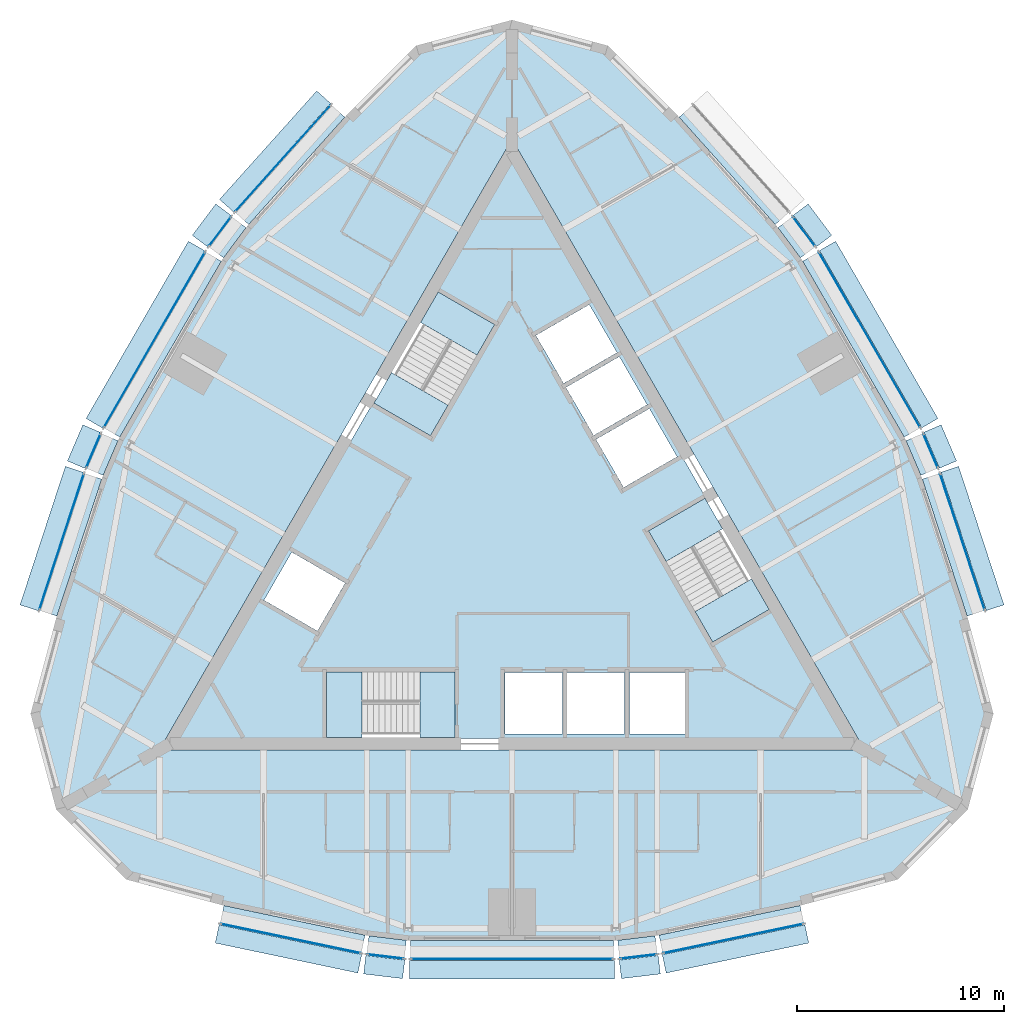
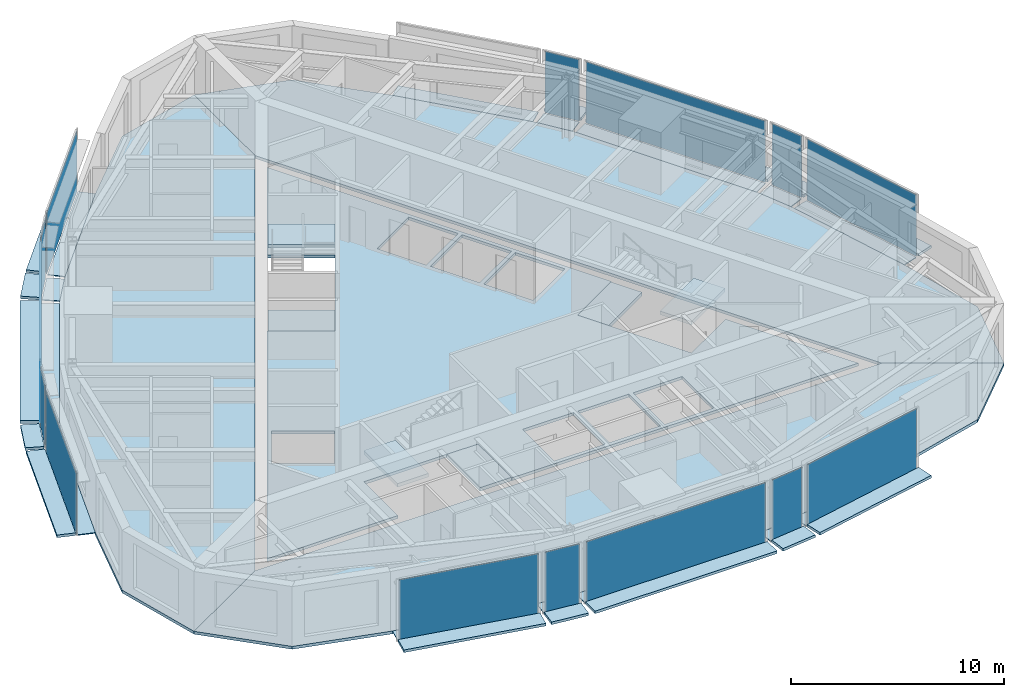
# One storey, part 6 of 12: 43 plates, 10 slabs, 17 elements without a shape of their own.
"""IFC4 building model written with IfcOpenShell, lengths in metres."""

from ifc_helpers import new_model, si_unit, direction, frame, origin, origin_2d, place, context, subcontext, project, spatial, polyline, rectangle, outline, extrude, material, layer, layer_set, type_object, element, aggregate, save


model = new_model("IFC4")

# Units and contexts
model_context = context("Model", 3, precision=1e-05, world=origin(), true_north=direction((0.0, 1.0)))
body_context = subcontext(model_context, "Body", "Model", "MODEL_VIEW")
ifc_project = project(units=[si_unit("LENGTHUNIT", "METRE"), si_unit("AREAUNIT", "SQUARE_METRE"), si_unit("VOLUMEUNIT", "CUBIC_METRE"), si_unit("PLANEANGLEUNIT", "RADIAN"), si_unit("MASSUNIT", "GRAM", prefix="KILO")], contexts=[model_context])

# Site, building, storey
site_placement = place(None, origin())
site = spatial("IfcSite", under=ifc_project, at=site_placement, CompositionType="ELEMENT")
building_placement = place(site_placement, origin())
building = spatial("IfcBuilding", under=site, at=building_placement, Name="Trikona Tower", CompositionType="ELEMENT")
storey_placement = place(building_placement, frame((0.0, 0.0, 268.10009765625)))
storey = spatial("IfcBuildingStorey", under=building, at=storey_placement, Name="L71", CompositionType="ELEMENT", Elevation=268.10009765625)

# Plates
ifc_material_1 = material(Name="Aluminium bar grating", Category="aluminium")
ifc_layer_1 = layer(ifc_material_1, 0.050048828125)
ifc_layer_set_1 = layer_set([ifc_layer_1], Name="Cavity catwalk grating")
plate_type_1 = type_object("IfcPlateType", Name="Cavity catwalk grating", PredefinedType="USERDEFINED", material=ifc_layer_set_1)
plate_1_placement = place(storey_placement, frame((-10.586181640625, -18.466552734375, -0.05029296875), z_axis=(0.0, 0.0, 1.0), x_axis=(0.97865342171, -0.205517590916, 0.0)))
element("IfcPlate", 1, at=plate_1_placement, inside=storey, type_object=plate_type_1, Name="Cavity catwalk L71-00", ObjectType="CATWALK GRATING", PredefinedType="USERDEFINED", context=body_context, shape_type="SweptSolid", body=[
    extrude(rectangle(XDim=6.95263671875, YDim=0.840087890625, at=origin_2d()), origin(), (0.0, 0.0, 1.0), 0.050048828125),
])
plate_2_placement = place(storey_placement, frame((-6.050048828125, -19.327392578125, -0.05029296875), z_axis=(0.0, 0.0, 1.0), x_axis=(0.992876783199, -0.11914568135, 0.0)))
element("IfcPlate", 2, at=plate_2_placement, inside=storey, type_object=plate_type_1, Name="Cavity catwalk L71-01", ObjectType="CATWALK GRATING", PredefinedType="USERDEFINED", context=body_context, shape_type="SweptSolid", body=[
    extrude(rectangle(XDim=1.814208984375, YDim=0.840087890625, at=origin_2d()), origin(), (0.0, 0.0, 1.0), 0.050048828125),
])
plate_3_placement = place(storey_placement, frame((0.0, -19.450439453125, -0.05029296875), z_axis=(0.0, 0.0, 1.0), x_axis=(1.0, 0.0, 0.0)))
element("IfcPlate", 3, at=plate_3_placement, inside=storey, type_object=plate_type_1, Name="Cavity catwalk L71-02", ObjectType="CATWALK GRATING", PredefinedType="USERDEFINED", context=body_context, shape_type="SweptSolid", body=[
    extrude(rectangle(XDim=9.800048828125, YDim=0.840087890625, at=origin_2d()), origin(), (0.0, 0.0, 1.0), 0.050048828125),
])
plate_4_placement = place(storey_placement, frame((6.050048828125, -19.327392578125, -0.05029296875), z_axis=(0.0, 0.0, 1.0), x_axis=(0.992876783199, 0.11914568135, 0.0)))
element("IfcPlate", 4, at=plate_4_placement, inside=storey, type_object=plate_type_1, Name="Cavity catwalk L71-03", ObjectType="CATWALK GRATING", PredefinedType="USERDEFINED", context=body_context, shape_type="SweptSolid", body=[
    extrude(rectangle(XDim=1.814208984375, YDim=0.840087890625, at=origin_2d()), origin(), (0.0, 0.0, 1.0), 0.050048828125),
])
for number, where, z_axis, x_axis, name in (
    (5, (10.586181640625, -18.466552734375, -0.05029296875), (0.0, 0.0, 1.0), (0.97865342171, 0.205517590916, 0.0), "Cavity catwalk L71-04"),
    (6, (21.28564453125, 0.065185546875, -0.05029296875), (0.0, 0.0, 1.0), (-0.311336621861, 0.950299693722, 0.0), "Cavity catwalk L71-09"),
):
    element("IfcPlate", number, at=place(storey_placement, frame(where, z_axis=z_axis, x_axis=x_axis)), inside=storey, type_object=plate_type_1, Name=name, ObjectType="CATWALK GRATING", PredefinedType="USERDEFINED", context=body_context, shape_type="SweptSolid", body=[
        extrude(rectangle(XDim=6.95263671875, YDim=0.840087890625, at=origin_2d()), origin(), (0.0, 0.0, 1.0), 0.050048828125),
    ])
plate_5_placement = place(storey_placement, frame((19.76318359375, 4.42431640625, -0.05029296875), z_axis=(0.0, 0.0, 1.0), x_axis=(-0.39328408933, 0.919417002823, 0.0)))
element("IfcPlate", 7, at=plate_5_placement, inside=storey, type_object=plate_type_1, Name="Cavity catwalk L71-10", ObjectType="CATWALK GRATING", PredefinedType="USERDEFINED", context=body_context, shape_type="SweptSolid", body=[
    extrude(rectangle(XDim=1.814208984375, YDim=0.840087890625, at=origin_2d()), origin(), (0.0, 0.0, 1.0), 0.050048828125),
])
plate_6_placement = place(storey_placement, frame((16.844482421875, 9.72509765625, -0.05029296875), z_axis=(0.0, 0.0, 1.0), x_axis=(-0.4999984885, 0.866026276448, 0.0)))
element("IfcPlate", 8, at=plate_6_placement, inside=storey, type_object=plate_type_1, Name="Cavity catwalk L71-11", ObjectType="CATWALK GRATING", PredefinedType="USERDEFINED", context=body_context, shape_type="SweptSolid", body=[
    extrude(rectangle(XDim=9.800048828125, YDim=0.840087890625, at=origin_2d()), origin(), (0.0, 0.0, 1.0), 0.050048828125),
])
plate_7_placement = place(storey_placement, frame((13.713134765625, 14.9033203125, -0.05029296875), z_axis=(0.0, 0.0, 1.0), x_axis=(-0.599618784879, 0.800285769472, 0.0)))
element("IfcPlate", 9, at=plate_7_placement, inside=storey, type_object=plate_type_1, Name="Cavity catwalk L71-12", ObjectType="CATWALK GRATING", PredefinedType="USERDEFINED", context=body_context, shape_type="SweptSolid", body=[
    extrude(rectangle(XDim=1.814208984375, YDim=0.840087890625, at=origin_2d()), origin(), (0.0, 0.0, 1.0), 0.050048828125),
])
for number, where, z_axis, x_axis, name in (
    (10, (10.699462890625, 18.4013671875, -0.05029296875), (0.0, 0.0, 1.0), (-0.667311465398, 0.744778764566, 0.0), "Cavity catwalk L71-13"),
    (11, (-10.699462890625, 18.4013671875, -0.05029296875), (0.0, 0.0, 1.0), (-0.667311465398, -0.744778764566, 0.0), "Cavity catwalk L71-18"),
):
    element("IfcPlate", number, at=place(storey_placement, frame(where, z_axis=z_axis, x_axis=x_axis)), inside=storey, type_object=plate_type_1, Name=name, ObjectType="CATWALK GRATING", PredefinedType="USERDEFINED", context=body_context, shape_type="SweptSolid", body=[
        extrude(rectangle(XDim=6.95263671875, YDim=0.840087890625, at=origin_2d()), origin(), (0.0, 0.0, 1.0), 0.050048828125),
    ])
plate_8_placement = place(storey_placement, frame((-13.713134765625, 14.9033203125, -0.05029296875), z_axis=(0.0, 0.0, 1.0), x_axis=(-0.599618784879, -0.800285769472, 0.0)))
element("IfcPlate", 12, at=plate_8_placement, inside=storey, type_object=plate_type_1, Name="Cavity catwalk L71-19", ObjectType="CATWALK GRATING", PredefinedType="USERDEFINED", context=body_context, shape_type="SweptSolid", body=[
    extrude(rectangle(XDim=1.814208984375, YDim=0.840087890625, at=origin_2d()), origin(), (0.0, 0.0, 1.0), 0.050048828125),
])
plate_9_placement = place(storey_placement, frame((-16.844482421875, 9.72509765625, -0.05029296875), z_axis=(0.0, 0.0, 1.0), x_axis=(-0.4999984885, -0.866026276448, 0.0)))
element("IfcPlate", 13, at=plate_9_placement, inside=storey, type_object=plate_type_1, Name="Cavity catwalk L71-20", ObjectType="CATWALK GRATING", PredefinedType="USERDEFINED", context=body_context, shape_type="SweptSolid", body=[
    extrude(rectangle(XDim=9.800048828125, YDim=0.840087890625, at=origin_2d()), origin(), (0.0, 0.0, 1.0), 0.050048828125),
])
plate_10_placement = place(storey_placement, frame((-19.76318359375, 4.42431640625, -0.05029296875), z_axis=(0.0, 0.0, 1.0), x_axis=(-0.39328408933, -0.919417002823, 0.0)))
element("IfcPlate", 14, at=plate_10_placement, inside=storey, type_object=plate_type_1, Name="Cavity catwalk L71-21", ObjectType="CATWALK GRATING", PredefinedType="USERDEFINED", context=body_context, shape_type="SweptSolid", body=[
    extrude(rectangle(XDim=1.814208984375, YDim=0.840087890625, at=origin_2d()), origin(), (0.0, 0.0, 1.0), 0.050048828125),
])
plate_11_placement = place(storey_placement, frame((-21.28564453125, 0.065185546875, -0.05029296875), z_axis=(0.0, 0.0, 1.0), x_axis=(-0.311336621861, -0.950299693722, 0.0)))
element("IfcPlate", 15, at=plate_11_placement, inside=storey, type_object=plate_type_1, Name="Cavity catwalk L71-22", ObjectType="CATWALK GRATING", PredefinedType="USERDEFINED", context=body_context, shape_type="SweptSolid", body=[
    extrude(rectangle(XDim=6.95263671875, YDim=0.840087890625, at=origin_2d()), origin(), (0.0, 0.0, 1.0), 0.050048828125),
])

# Slabs
ifc_material_2 = material(Name="Concrete f'c 5000 psi lightweight on composite steel deck", Category="concrete")
ifc_layer_2 = layer(ifc_material_2, 0.1650390625)
ifc_layer_set_2 = layer_set([ifc_layer_2], Name="Composite floor slab 165")
slab_type_1 = type_object("IfcSlabType", Name="Composite floor slab 165", PredefinedType="FLOOR", material=ifc_layer_set_2)
slab_1_placement = place(storey_placement, frame((0.0, 0.0, -0.1650390625)))
element("IfcSlab", 16, at=slab_1_placement, inside=storey, type_object=slab_type_1, Name="Floor slab L71 core", PredefinedType="FLOOR", context=body_context, shape_type="SweptSolid", body=[
    extrude(outline(polyline([(-16.06689453125, -9.2763671875), (-8.949951171875, -9.2763671875), (-8.949951171875, -6.076416015625), (-2.75, -6.076416015625), (-2.75, -9.2763671875), (16.06689453125, -9.2763671875), (12.45849609375, -3.026123046875), (9.687255859375, -4.626220703125), (6.587158203125, 0.7431640625), (9.3583984375, 2.34326171875), (0.0, 18.552490234375), (-3.6083984375, 12.302490234375), (-0.837158203125, 10.702392578125), (-3.937255859375, 5.3330078125), (-6.70849609375, 6.93310546875), (-16.06689453125, -9.2763671875)]), holes=[polyline([(5.659912109375, -6.086181640625), (5.659912109375, -9.06640625), (8.340087890625, -9.06640625), (8.340087890625, -6.086181640625), (5.659912109375, -6.086181640625)]), polyline([(6.631591796875, 6.646240234375), (4.05078125, 5.15625), (5.390869140625, 2.835205078125), (7.9716796875, 4.3251953125), (6.631591796875, 6.646240234375)]), polyline([(6.521484375, 6.8369140625), (5.181640625, 9.15771484375), (2.600830078125, 7.667724609375), (3.94091796875, 5.3466796875), (6.521484375, 6.8369140625)]), polyline([(2.659912109375, -9.06640625), (5.43994140625, -9.06640625), (5.43994140625, -6.086181640625), (2.659912109375, -6.086181640625), (2.659912109375, -9.06640625)]), polyline([(2.490966796875, 7.858154296875), (5.071533203125, 9.34814453125), (3.731689453125, 11.669189453125), (1.15087890625, 10.17919921875), (2.490966796875, 7.858154296875)]), polyline([(2.43994140625, -9.06640625), (2.43994140625, -6.086181640625), (-0.340087890625, -6.086181640625), (-0.340087890625, -9.06640625), (2.43994140625, -9.06640625)]), polyline([(-11.9716796875, -2.602783203125), (-9.390869140625, -4.093017578125), (-8.05078125, -1.77197265625), (-10.631591796875, -0.281982421875), (-11.9716796875, -2.602783203125)])]), origin(), (0.0, 0.0, 1.0), 0.1650390625),
])
slab_2_placement = place(storey_placement, frame((0.0, 0.0, -0.1650390625)))
element("IfcSlab", 17, at=slab_2_placement, inside=storey, type_object=slab_type_1, Name="Floor slab L71 south", PredefinedType="FLOOR", context=body_context, shape_type="SweptSolid", body=[
    extrude(outline(polyline([(18.618896484375, -16.0830078125), (22.0, -12.70166015625), (17.01953125, -9.826416015625), (-17.01953125, -9.826416015625), (-22.0, -12.70166015625), (-18.618896484375, -16.0830078125), (-14.0, -17.320556640625), (-7.0, -18.79052734375), (-5.0, -19.030517578125), (5.0, -19.030517578125), (7.0, -18.79052734375), (14.0, -17.320556640625), (18.618896484375, -16.0830078125)])), origin(), (0.0, 0.0, 1.0), 0.1650390625),
])
slab_3_placement = place(storey_placement, frame((0.0, 0.0, -0.1650390625)))
element("IfcSlab", 18, at=slab_3_placement, inside=storey, type_object=slab_type_1, Name="Floor slab L71 north-east", PredefinedType="FLOOR", context=body_context, shape_type="SweptSolid", body=[
    extrude(outline(polyline([(4.618896484375, 24.165771484375), (0.0, 25.4033203125), (0.0, 19.652587890625), (17.01953125, -9.826416015625), (22.0, -12.70166015625), (23.237548828125, -8.0830078125), (22.0, -3.464111328125), (19.773193359375, 3.3330078125), (18.98095703125, 5.18505859375), (13.98095703125, 13.845458984375), (12.773193359375, 15.45751953125), (8.0, 20.78466796875), (4.618896484375, 24.165771484375)])), origin(), (0.0, 0.0, 1.0), 0.1650390625),
])
slab_4_placement = place(storey_placement, frame((0.0, 0.0, -0.1650390625)))
element("IfcSlab", 19, at=slab_4_placement, inside=storey, type_object=slab_type_1, Name="Floor slab L71 north-west", PredefinedType="FLOOR", context=body_context, shape_type="SweptSolid", body=[
    extrude(outline(polyline([(0.0, 19.652587890625), (0.0, 25.4033203125), (-4.618896484375, 24.165771484375), (-8.0, 20.78466796875), (-12.773193359375, 15.45751953125), (-13.98095703125, 13.845458984375), (-18.98095703125, 5.18505859375), (-19.773193359375, 3.3330078125), (-22.0, -3.464111328125), (-23.237548828125, -8.0830078125), (-22.0, -12.70166015625), (-17.01953125, -9.826416015625), (0.0, 19.652587890625)])), origin(), (0.0, 0.0, 1.0), 0.1650390625),
])

# Curtain wall, plate
ifc_material_3 = material(Name="Aluminium curtain wall system", Category="aluminium")
curtain_wall_type = type_object("IfcCurtainWallType", Name="Curtain wall DS3", PredefinedType="NOTDEFINED", material=ifc_material_3)
curtain_wall_1_placement = place(storey_placement, origin())
curtain_wall_1 = element("IfcCurtainWall", 20, at=curtain_wall_1_placement, inside=storey, type_object=curtain_wall_type, Name="Curtain wall DS3 L71", PredefinedType="NOTDEFINED")
ifc_material_4 = material(Name="Laminated clear glass", Category="glass")
ifc_layer_3 = layer(ifc_material_4, 0.028076171875)
ifc_layer_set_3 = layer_set([ifc_layer_3], Name="Glass panel DS3")
plate_type_2 = type_object("IfcPlateType", Name="Glass panel DS3", PredefinedType="CURTAIN_PANEL", material=ifc_layer_set_3)
plate_12_placement = place(storey_placement, frame((-10.68505859375, -18.936279296875, 0.0), z_axis=(0.0, 0.0, 1.0), x_axis=(0.978651351583, -0.205527448396, 0.0)))
plate_12 = element("IfcPlate", 21, at=plate_12_placement, type_object=plate_type_2, Name="CW-DS3 panel 1.1", PredefinedType="CURTAIN_PANEL", context=body_context, shape_type="SweptSolid", body=[
    extrude(rectangle(XDim=6.892578125, YDim=0.028076171875, at=origin_2d()), origin(), (0.0, 0.0, 1.0), 3.530029296875),
])
aggregate(curtain_wall_1, [plate_12])

curtain_wall_2_placement = place(storey_placement, origin())
curtain_wall_2 = element("IfcCurtainWall", 22, at=curtain_wall_2_placement, inside=storey, type_object=curtain_wall_type, Name="Curtain wall DS3 L71", PredefinedType="NOTDEFINED")
plate_13_placement = place(storey_placement, frame((-6.107177734375, -19.803955078125, 0.0), z_axis=(0.0, 0.0, 1.0), x_axis=(0.992877338043, -0.119141057581, 0.0)))
plate_13 = element("IfcPlate", 23, at=plate_13_placement, type_object=plate_type_2, Name="CW-DS3 panel 1.1", PredefinedType="CURTAIN_PANEL", context=body_context, shape_type="SweptSolid", body=[
    extrude(rectangle(XDim=1.75439453125, YDim=0.028076171875, at=origin_2d()), origin(), (0.0, 0.0, 1.0), 3.530029296875),
])
aggregate(curtain_wall_2, [plate_13])

curtain_wall_3_placement = place(storey_placement, origin())
curtain_wall_3 = element("IfcCurtainWall", 24, at=curtain_wall_3_placement, inside=storey, type_object=curtain_wall_type, Name="Curtain wall DS3 L71", PredefinedType="NOTDEFINED")
plate_14_placement = place(storey_placement, frame((0.0, -19.930419921875, 0.0), z_axis=(0.0, 0.0, 1.0), x_axis=(1.0, 0.0, 0.0)))
plate_14 = element("IfcPlate", 25, at=plate_14_placement, type_object=plate_type_2, Name="CW-DS3 panel 1.1", PredefinedType="CURTAIN_PANEL", context=body_context, shape_type="SweptSolid", body=[
    extrude(rectangle(XDim=9.739990234375, YDim=0.028076171875, at=origin_2d()), origin(), (0.0, 0.0, 1.0), 3.530029296875),
])
aggregate(curtain_wall_3, [plate_14])

curtain_wall_4_placement = place(storey_placement, origin())
curtain_wall_4 = element("IfcCurtainWall", 26, at=curtain_wall_4_placement, inside=storey, type_object=curtain_wall_type, Name="Curtain wall DS3 L71", PredefinedType="NOTDEFINED")
plate_15_placement = place(storey_placement, frame((6.107177734375, -19.803955078125, 0.0), z_axis=(0.0, 0.0, 1.0), x_axis=(0.992877338043, 0.119141057581, 0.0)))
plate_15 = element("IfcPlate", 27, at=plate_15_placement, type_object=plate_type_2, Name="CW-DS3 panel 1.1", PredefinedType="CURTAIN_PANEL", context=body_context, shape_type="SweptSolid", body=[
    extrude(rectangle(XDim=1.75439453125, YDim=0.028076171875, at=origin_2d()), origin(), (0.0, 0.0, 1.0), 3.530029296875),
])
aggregate(curtain_wall_4, [plate_15])

curtain_wall_5_placement = place(storey_placement, origin())
curtain_wall_5 = element("IfcCurtainWall", 28, at=curtain_wall_5_placement, inside=storey, type_object=curtain_wall_type, Name="Curtain wall DS3 L71", PredefinedType="NOTDEFINED")
plate_16_placement = place(storey_placement, frame((10.68505859375, -18.936279296875, 0.0), z_axis=(0.0, 0.0, 1.0), x_axis=(0.978651351583, 0.205527448396, 0.0)))
plate_16 = element("IfcPlate", 29, at=plate_16_placement, type_object=plate_type_2, Name="CW-DS3 panel 1.1", PredefinedType="CURTAIN_PANEL", context=body_context, shape_type="SweptSolid", body=[
    extrude(rectangle(XDim=6.892578125, YDim=0.028076171875, at=origin_2d()), origin(), (0.0, 0.0, 1.0), 3.530029296875),
])
aggregate(curtain_wall_5, [plate_16])

curtain_wall_6_placement = place(storey_placement, origin())
curtain_wall_6 = element("IfcCurtainWall", 30, at=curtain_wall_6_placement, inside=storey, type_object=curtain_wall_type, Name="Curtain wall DS3 L71", PredefinedType="NOTDEFINED")
plate_17_placement = place(storey_placement, frame((21.74169921875, 0.214599609375, 0.0), z_axis=(0.0, 0.0, 1.0), x_axis=(-0.311343553515, 0.95029742275, 0.0)))
plate_17 = element("IfcPlate", 31, at=plate_17_placement, type_object=plate_type_2, Name="CW-DS3 panel 1.1", PredefinedType="CURTAIN_PANEL", context=body_context, shape_type="SweptSolid", body=[
    extrude(rectangle(XDim=6.892822265625, YDim=0.028076171875, at=origin_2d()), origin(), (0.0, 0.0, 1.0), 3.530029296875),
])
aggregate(curtain_wall_6, [plate_17])

curtain_wall_7_placement = place(storey_placement, origin())
curtain_wall_7 = element("IfcCurtainWall", 32, at=curtain_wall_7_placement, inside=storey, type_object=curtain_wall_type, Name="Curtain wall DS3 L71", PredefinedType="NOTDEFINED")
plate_18_placement = place(storey_placement, frame((20.20458984375, 4.613037109375, 0.0), z_axis=(0.0, 0.0, 1.0), x_axis=(-0.393275726143, 0.919420580163, 0.0)))
plate_18 = element("IfcPlate", 33, at=plate_18_placement, type_object=plate_type_2, Name="CW-DS3 panel 1.1", PredefinedType="CURTAIN_PANEL", context=body_context, shape_type="SweptSolid", body=[
    extrude(rectangle(XDim=1.75439453125, YDim=0.028076171875, at=origin_2d()), origin(), (0.0, 0.0, 1.0), 3.530029296875),
])
aggregate(curtain_wall_7, [plate_18])

curtain_wall_8_placement = place(storey_placement, origin())
curtain_wall_8 = element("IfcCurtainWall", 34, at=curtain_wall_8_placement, inside=storey, type_object=curtain_wall_type, Name="Curtain wall DS3 L71", PredefinedType="NOTDEFINED")
plate_19_placement = place(storey_placement, frame((17.26025390625, 9.96533203125, 0.0), z_axis=(0.0, 0.0, 1.0), x_axis=(-0.500001358187, 0.866024619633, 0.0)))
plate_19 = element("IfcPlate", 35, at=plate_19_placement, type_object=plate_type_2, Name="CW-DS3 panel 1.1", PredefinedType="CURTAIN_PANEL", context=body_context, shape_type="SweptSolid", body=[
    extrude(rectangle(XDim=9.739990234375, YDim=0.028076171875, at=origin_2d()), origin(), (0.0, 0.0, 1.0), 3.530029296875),
])
aggregate(curtain_wall_8, [plate_19])

curtain_wall_9_placement = place(storey_placement, origin())
curtain_wall_9 = element("IfcCurtainWall", 36, at=curtain_wall_9_placement, inside=storey, type_object=curtain_wall_type, Name="Curtain wall DS3 L71", PredefinedType="NOTDEFINED")
plate_20_placement = place(storey_placement, frame((14.09716796875, 15.191162109375, 0.0), z_axis=(0.0, 0.0, 1.0), x_axis=(-0.599653634435, 0.800259657055, 0.0)))
plate_20 = element("IfcPlate", 37, at=plate_20_placement, type_object=plate_type_2, Name="CW-DS3 panel 1.1", PredefinedType="CURTAIN_PANEL", context=body_context, shape_type="SweptSolid", body=[
    extrude(rectangle(XDim=1.754150390625, YDim=0.028076171875, at=origin_2d()), origin(), (0.0, 0.0, 1.0), 3.530029296875),
])
aggregate(curtain_wall_9, [plate_20])

curtain_wall_10_placement = place(storey_placement, origin())
curtain_wall_10 = element("IfcCurtainWall", 38, at=curtain_wall_10_placement, inside=storey, type_object=curtain_wall_type, Name="Curtain wall DS3 L71", PredefinedType="NOTDEFINED")
plate_21_placement = place(storey_placement, frame((-11.056884765625, 18.7216796875, 0.0), z_axis=(0.0, 0.0, 1.0), x_axis=(-0.667319643748, -0.744771436797, 0.0)))
plate_21 = element("IfcPlate", 39, at=plate_21_placement, type_object=plate_type_2, Name="CW-DS3 panel 1.1", PredefinedType="CURTAIN_PANEL", context=body_context, shape_type="SweptSolid", body=[
    extrude(rectangle(XDim=6.892822265625, YDim=0.028076171875, at=origin_2d()), origin(), (0.0, 0.0, 1.0), 3.530029296875),
])
aggregate(curtain_wall_10, [plate_21])

curtain_wall_11_placement = place(storey_placement, origin())
curtain_wall_11 = element("IfcCurtainWall", 40, at=curtain_wall_11_placement, inside=storey, type_object=curtain_wall_type, Name="Curtain wall DS3 L71", PredefinedType="NOTDEFINED")
plate_22_placement = place(storey_placement, frame((-14.09716796875, 15.191162109375, 0.0), z_axis=(0.0, 0.0, 1.0), x_axis=(-0.599653634435, -0.800259657055, 0.0)))
plate_22 = element("IfcPlate", 41, at=plate_22_placement, type_object=plate_type_2, Name="CW-DS3 panel 1.1", PredefinedType="CURTAIN_PANEL", context=body_context, shape_type="SweptSolid", body=[
    extrude(rectangle(XDim=1.754150390625, YDim=0.028076171875, at=origin_2d()), origin(), (0.0, 0.0, 1.0), 3.530029296875),
])
aggregate(curtain_wall_11, [plate_22])

curtain_wall_12_placement = place(storey_placement, origin())
curtain_wall_12 = element("IfcCurtainWall", 42, at=curtain_wall_12_placement, inside=storey, type_object=curtain_wall_type, Name="Curtain wall DS3 L71", PredefinedType="NOTDEFINED")
plate_23_placement = place(storey_placement, frame((-17.26025390625, 9.96533203125, 0.0), z_axis=(0.0, 0.0, 1.0), x_axis=(-0.500001358187, -0.866024619633, 0.0)))
plate_23 = element("IfcPlate", 43, at=plate_23_placement, type_object=plate_type_2, Name="CW-DS3 panel 1.1", PredefinedType="CURTAIN_PANEL", context=body_context, shape_type="SweptSolid", body=[
    extrude(rectangle(XDim=9.739990234375, YDim=0.028076171875, at=origin_2d()), origin(), (0.0, 0.0, 1.0), 3.530029296875),
])
aggregate(curtain_wall_12, [plate_23])

curtain_wall_13_placement = place(storey_placement, origin())
curtain_wall_13 = element("IfcCurtainWall", 44, at=curtain_wall_13_placement, inside=storey, type_object=curtain_wall_type, Name="Curtain wall DS3 L71", PredefinedType="NOTDEFINED")
plate_24_placement = place(storey_placement, frame((-20.20458984375, 4.613037109375, 0.0), z_axis=(0.0, 0.0, 1.0), x_axis=(-0.393275726143, -0.919420580163, 0.0)))
plate_24 = element("IfcPlate", 45, at=plate_24_placement, type_object=plate_type_2, Name="CW-DS3 panel 1.1", PredefinedType="CURTAIN_PANEL", context=body_context, shape_type="SweptSolid", body=[
    extrude(rectangle(XDim=1.75439453125, YDim=0.028076171875, at=origin_2d()), origin(), (0.0, 0.0, 1.0), 3.530029296875),
])
aggregate(curtain_wall_13, [plate_24])

curtain_wall_14_placement = place(storey_placement, origin())
curtain_wall_14 = element("IfcCurtainWall", 46, at=curtain_wall_14_placement, inside=storey, type_object=curtain_wall_type, Name="Curtain wall DS3 L71", PredefinedType="NOTDEFINED")
plate_25_placement = place(storey_placement, frame((-21.74169921875, 0.214599609375, 0.0), z_axis=(0.0, 0.0, 1.0), x_axis=(-0.311343553515, -0.95029742275, 0.0)))
plate_25 = element("IfcPlate", 47, at=plate_25_placement, type_object=plate_type_2, Name="CW-DS3 panel 1.1", PredefinedType="CURTAIN_PANEL", context=body_context, shape_type="SweptSolid", body=[
    extrude(rectangle(XDim=6.892822265625, YDim=0.028076171875, at=origin_2d()), origin(), (0.0, 0.0, 1.0), 3.530029296875),
])
aggregate(curtain_wall_14, [plate_25])

# Plates
ifc_material_5 = material(Name="Aluminium plate fin, pale anodised, on stainless steel outriggers", Category="steel")
ifc_layer_4 = layer(ifc_material_5, 0.14990234375)
ifc_layer_set_4 = layer_set([ifc_layer_4], Name="Outer skin fin 900")
plate_type_3 = type_object("IfcPlateType", Name="Outer skin fin 900", PredefinedType="USERDEFINED", material=ifc_layer_set_4)
plate_26_placement = place(storey_placement, frame((-10.789794921875, -19.435302734375, 0.0), z_axis=(0.0, 0.0, 1.0), x_axis=(0.97865342171, -0.205517590916, 0.0)))
element("IfcPlate", 48, at=plate_26_placement, inside=storey, type_object=plate_type_3, Name="Outer skin fin L71-00", ObjectType="FIN", PredefinedType="USERDEFINED", context=body_context, shape_type="SweptSolid", body=[
    extrude(rectangle(XDim=7.03271484375, YDim=0.89990234375, at=origin_2d()), origin(), (0.0, 0.0, 1.0), 0.14990234375),
])
plate_27_placement = place(storey_placement, frame((-6.16796875, -20.310546875, 0.0), z_axis=(0.0, 0.0, 1.0), x_axis=(0.992876783199, -0.11914568135, 0.0)))
element("IfcPlate", 49, at=plate_27_placement, inside=storey, type_object=plate_type_3, Name="Outer skin fin L71-01", ObjectType="FIN", PredefinedType="USERDEFINED", context=body_context, shape_type="SweptSolid", body=[
    extrude(rectangle(XDim=1.894287109375, YDim=0.89990234375, at=origin_2d()), origin(), (0.0, 0.0, 1.0), 0.14990234375),
])
plate_28_placement = place(storey_placement, frame((0.0, -20.4404296875, 0.0), z_axis=(0.0, 0.0, 1.0), x_axis=(1.0, 0.0, 0.0)))
element("IfcPlate", 50, at=plate_28_placement, inside=storey, type_object=plate_type_3, Name="Outer skin fin L71-02", ObjectType="FIN", PredefinedType="USERDEFINED", context=body_context, shape_type="SweptSolid", body=[
    extrude(rectangle(XDim=9.8798828125, YDim=0.89990234375, at=origin_2d()), origin(), (0.0, 0.0, 1.0), 0.14990234375),
])
plate_29_placement = place(storey_placement, frame((6.16796875, -20.310546875, 0.0), z_axis=(0.0, 0.0, 1.0), x_axis=(0.992876783199, 0.11914568135, 0.0)))
element("IfcPlate", 51, at=plate_29_placement, inside=storey, type_object=plate_type_3, Name="Outer skin fin L71-03", ObjectType="FIN", PredefinedType="USERDEFINED", context=body_context, shape_type="SweptSolid", body=[
    extrude(rectangle(XDim=1.894287109375, YDim=0.89990234375, at=origin_2d()), origin(), (0.0, 0.0, 1.0), 0.14990234375),
])
for number, where, z_axis, x_axis, name in (
    (52, (10.789794921875, -19.435302734375, 0.0), (0.0, 0.0, 1.0), (0.97865342171, 0.205517590916, 0.0), "Outer skin fin L71-04"),
    (53, (22.2265625, 0.37353515625, 0.0), (0.0, 0.0, 1.0), (-0.311336621861, 0.950299693722, 0.0), "Outer skin fin L71-09"),
):
    element("IfcPlate", number, at=place(storey_placement, frame(where, z_axis=z_axis, x_axis=x_axis)), inside=storey, type_object=plate_type_3, Name=name, ObjectType="FIN", PredefinedType="USERDEFINED", context=body_context, shape_type="SweptSolid", body=[
        extrude(rectangle(XDim=7.03271484375, YDim=0.89990234375, at=origin_2d()), origin(), (0.0, 0.0, 1.0), 0.14990234375),
    ])
plate_30_placement = place(storey_placement, frame((20.67333984375, 4.813720703125, 0.0), z_axis=(0.0, 0.0, 1.0), x_axis=(-0.39328408933, 0.919417002823, 0.0)))
element("IfcPlate", 54, at=plate_30_placement, inside=storey, type_object=plate_type_3, Name="Outer skin fin L71-10", ObjectType="FIN", PredefinedType="USERDEFINED", context=body_context, shape_type="SweptSolid", body=[
    extrude(rectangle(XDim=1.894287109375, YDim=0.89990234375, at=origin_2d()), origin(), (0.0, 0.0, 1.0), 0.14990234375),
])
plate_31_placement = place(storey_placement, frame((17.701904296875, 10.22021484375, 0.0), z_axis=(0.0, 0.0, 1.0), x_axis=(-0.4999984885, 0.866026276448, 0.0)))
element("IfcPlate", 55, at=plate_31_placement, inside=storey, type_object=plate_type_3, Name="Outer skin fin L71-11", ObjectType="FIN", PredefinedType="USERDEFINED", context=body_context, shape_type="SweptSolid", body=[
    extrude(rectangle(XDim=9.8798828125, YDim=0.89990234375, at=origin_2d()), origin(), (0.0, 0.0, 1.0), 0.14990234375),
])
plate_32_placement = place(storey_placement, frame((14.50537109375, 15.496826171875, 0.0), z_axis=(0.0, 0.0, 1.0), x_axis=(-0.599618784879, 0.800285769472, 0.0)))
element("IfcPlate", 56, at=plate_32_placement, inside=storey, type_object=plate_type_3, Name="Outer skin fin L71-12", ObjectType="FIN", PredefinedType="USERDEFINED", context=body_context, shape_type="SweptSolid", body=[
    extrude(rectangle(XDim=1.894287109375, YDim=0.89990234375, at=origin_2d()), origin(), (0.0, 0.0, 1.0), 0.14990234375),
])
plate_33_placement = place(storey_placement, frame((-11.436767578125, 19.06201171875, 0.0), z_axis=(0.0, 0.0, 1.0), x_axis=(-0.667311465398, -0.744778764566, 0.0)))
element("IfcPlate", 57, at=plate_33_placement, inside=storey, type_object=plate_type_3, Name="Outer skin fin L71-18", ObjectType="FIN", PredefinedType="USERDEFINED", context=body_context, shape_type="SweptSolid", body=[
    extrude(rectangle(XDim=7.03271484375, YDim=0.89990234375, at=origin_2d()), origin(), (0.0, 0.0, 1.0), 0.14990234375),
])
plate_34_placement = place(storey_placement, frame((-14.50537109375, 15.496826171875, 0.0), z_axis=(0.0, 0.0, 1.0), x_axis=(-0.599618784879, -0.800285769472, 0.0)))
element("IfcPlate", 58, at=plate_34_placement, inside=storey, type_object=plate_type_3, Name="Outer skin fin L71-19", ObjectType="FIN", PredefinedType="USERDEFINED", context=body_context, shape_type="SweptSolid", body=[
    extrude(rectangle(XDim=1.894287109375, YDim=0.89990234375, at=origin_2d()), origin(), (0.0, 0.0, 1.0), 0.14990234375),
])
plate_35_placement = place(storey_placement, frame((-17.701904296875, 10.22021484375, 0.0), z_axis=(0.0, 0.0, 1.0), x_axis=(-0.4999984885, -0.866026276448, 0.0)))
element("IfcPlate", 59, at=plate_35_placement, inside=storey, type_object=plate_type_3, Name="Outer skin fin L71-20", ObjectType="FIN", PredefinedType="USERDEFINED", context=body_context, shape_type="SweptSolid", body=[
    extrude(rectangle(XDim=9.8798828125, YDim=0.89990234375, at=origin_2d()), origin(), (0.0, 0.0, 1.0), 0.14990234375),
])
plate_36_placement = place(storey_placement, frame((-20.67333984375, 4.813720703125, 0.0), z_axis=(0.0, 0.0, 1.0), x_axis=(-0.39328408933, -0.919417002823, 0.0)))
element("IfcPlate", 60, at=plate_36_placement, inside=storey, type_object=plate_type_3, Name="Outer skin fin L71-21", ObjectType="FIN", PredefinedType="USERDEFINED", context=body_context, shape_type="SweptSolid", body=[
    extrude(rectangle(XDim=1.894287109375, YDim=0.89990234375, at=origin_2d()), origin(), (0.0, 0.0, 1.0), 0.14990234375),
])
plate_37_placement = place(storey_placement, frame((-22.2265625, 0.37353515625, 0.0), z_axis=(0.0, 0.0, 1.0), x_axis=(-0.311336621861, -0.950299693722, 0.0)))
element("IfcPlate", 61, at=plate_37_placement, inside=storey, type_object=plate_type_3, Name="Outer skin fin L71-22", ObjectType="FIN", PredefinedType="USERDEFINED", context=body_context, shape_type="SweptSolid", body=[
    extrude(rectangle(XDim=7.03271484375, YDim=0.89990234375, at=origin_2d()), origin(), (0.0, 0.0, 1.0), 0.14990234375),
])

# Stair, slabs
ifc_material_6 = material(Name="Concrete f'c 5000 psi", Category="concrete")
stair_type = type_object("IfcStairType", Name="Core stair", PredefinedType="HALF_TURN_STAIR", material=ifc_material_6)
stair_1_placement = place(storey_placement, origin())
stair_1 = element("IfcStair", 62, at=stair_1_placement, inside=storey, type_object=stair_type, Name="Stair A L71", PredefinedType="HALF_TURN_STAIR")
ifc_material_7 = material(Name="Concrete f'c 5000 psi", Category="concrete")
ifc_layer_5 = layer(ifc_material_7, 0.199951171875)
ifc_layer_set_5 = layer_set([ifc_layer_5], Name="Stair landing 200")
slab_type_2 = type_object("IfcSlabType", Name="Stair landing 200", PredefinedType="LANDING", material=ifc_layer_set_5)
slab_5_placement = place(storey_placement, frame((0.0, 0.0, -0.2001953125)))
slab_5 = element("IfcSlab", 63, at=slab_5_placement, type_object=slab_type_2, Name="ST-A landing 1", PredefinedType="LANDING", context=body_context, shape_type="SweptSolid", body=[
    extrude(outline(polyline([(-4.452880859375, -6.076416015625), (-2.75, -6.076416015625), (-2.75, -9.226318359375), (-4.452880859375, -9.226318359375), (-4.452880859375, -6.076416015625)])), origin(), (0.0, 0.0, 1.0), 0.2001953125),
])
slab_6_placement = place(storey_placement, frame((0.0, 0.0, 1.599853515625)))
slab_6 = element("IfcSlab", 64, at=slab_6_placement, type_object=slab_type_2, Name="ST-A landing 2", PredefinedType="LANDING", context=body_context, shape_type="SweptSolid", body=[
    extrude(outline(polyline([(-8.949951171875, -6.076416015625), (-7.2470703125, -6.076416015625), (-7.2470703125, -9.226318359375), (-8.949951171875, -9.226318359375), (-8.949951171875, -6.076416015625)])), origin(), (0.0, 0.0, 1.0), 0.199951171875),
])
aggregate(stair_1, [slab_5, slab_6])

stair_2_placement = place(storey_placement, origin())
stair_2 = element("IfcStair", 65, at=stair_2_placement, inside=storey, type_object=stair_type, Name="Stair B L71", PredefinedType="HALF_TURN_STAIR")
slab_7_placement = place(storey_placement, frame((0.0, 0.0, -0.2001953125)))
slab_7 = element("IfcSlab", 66, at=slab_7_placement, type_object=slab_type_2, Name="ST-B landing 1", PredefinedType="LANDING", context=body_context, shape_type="SweptSolid", body=[
    extrude(outline(polyline([(7.438720703125, -0.731689453125), (6.587158203125, 0.7431640625), (9.315185546875, 2.318115234375), (10.166748046875, 0.84326171875), (7.438720703125, -0.731689453125)])), origin(), (0.0, 0.0, 1.0), 0.2001953125),
])
slab_8_placement = place(storey_placement, frame((0.0, 0.0, 1.599853515625)))
slab_8 = element("IfcSlab", 67, at=slab_8_placement, type_object=slab_type_2, Name="ST-B landing 2", PredefinedType="LANDING", context=body_context, shape_type="SweptSolid", body=[
    extrude(outline(polyline([(9.687255859375, -4.626220703125), (8.835693359375, -3.1513671875), (11.563720703125, -1.576416015625), (12.415283203125, -3.05126953125), (9.687255859375, -4.626220703125)])), origin(), (0.0, 0.0, 1.0), 0.199951171875),
])
aggregate(stair_2, [slab_7, slab_8])

stair_3_placement = place(storey_placement, origin())
stair_3 = element("IfcStair", 68, at=stair_3_placement, inside=storey, type_object=stair_type, Name="Stair C L71", PredefinedType="HALF_TURN_STAIR")
slab_9_placement = place(storey_placement, frame((0.0, 0.0, -0.2001953125)))
slab_9 = element("IfcSlab", 69, at=slab_9_placement, type_object=slab_type_2, Name="ST-C landing 1", PredefinedType="LANDING", context=body_context, shape_type="SweptSolid", body=[
    extrude(outline(polyline([(-3.085693359375, 6.807861328125), (-3.937255859375, 5.3330078125), (-6.665283203125, 6.908203125), (-5.813720703125, 8.3828125), (-3.085693359375, 6.807861328125)])), origin(), (0.0, 0.0, 1.0), 0.2001953125),
])
slab_10_placement = place(storey_placement, frame((0.0, 0.0, 1.599853515625)))
slab_10 = element("IfcSlab", 70, at=slab_10_placement, type_object=slab_type_2, Name="ST-C landing 2", PredefinedType="LANDING", context=body_context, shape_type="SweptSolid", body=[
    extrude(outline(polyline([(-0.837158203125, 10.702392578125), (-1.688720703125, 9.2275390625), (-4.416748046875, 10.802490234375), (-3.565185546875, 12.277587890625), (-0.837158203125, 10.702392578125)])), origin(), (0.0, 0.0, 1.0), 0.199951171875),
])
aggregate(stair_3, [slab_9, slab_10])

save(model, "model.ifc")
